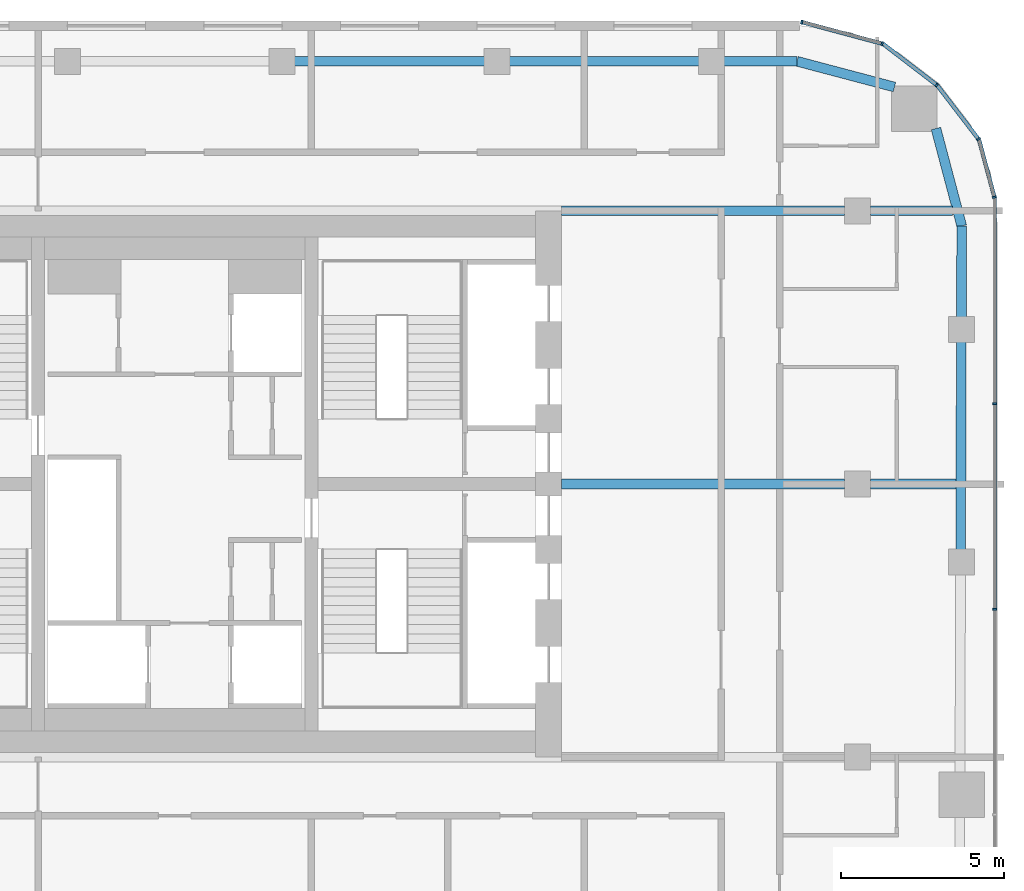
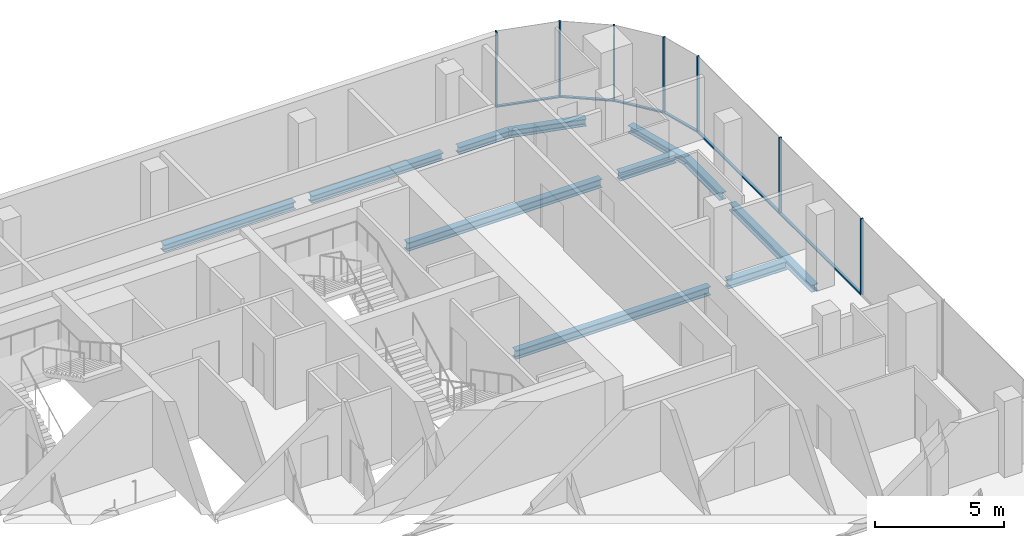
# One storey, part 11 of 22: 13 members, 11 beams, 5 elements without a shape of their own.
"""IFC4 building model written with IfcOpenShell, lengths in metres."""

import ifcopenshell
import ifcopenshell.guid

model = None  # the IFC model being written
_history = None  # IfcOwnerHistory: only IFC2X3 demands one
_inside = {}  # id of a spatial element -> (the spatial element, [elements in it])
_under = {}  # id of a project, library or spatial element -> (it, [spatial elements below it])
_declared = {}  # id of a project -> (the project, [libraries it declares])
_typed = {}  # id of a type object -> (the type object, [elements of that type])
_made_of = {}  # id of a material, layer set ... -> (it, [elements and type objects made of it])


def new_model(schema):
    """Start an empty IFC model of exactly this schema.

    Asked for "IFC4X3", IfcOpenShell would pick the latest addendum, in which some entities
    have other attributes; the version numbers below select the first issue.
    IFC2X3 requires an IfcOwnerHistory on every rooted entity: one is made here for all.
    """
    global model, _history
    if schema == "IFC4X3":
        model = ifcopenshell.file(schema_version=(4, 3, 0, 0))
    else:
        model = ifcopenshell.file(schema=schema)
    _inside.clear()
    _under.clear()
    _declared.clear()
    _typed.clear()
    _made_of.clear()
    _history = None
    if model.schema == "IFC2X3":
        org = make("IfcOrganization", Name="unknown")
        user = make(
            "IfcPersonAndOrganization",
            ThePerson=make("IfcPerson", FamilyName="unknown"),
            TheOrganization=org,
        )
        app = make(
            "IfcApplication",
            ApplicationDeveloper=org,
            Version="unknown",
            ApplicationFullName="unknown",
            ApplicationIdentifier="unknown",
        )
        _history = make(
            "IfcOwnerHistory",
            OwningUser=user,
            OwningApplication=app,
            ChangeAction="ADDED",
            CreationDate=0,
        )
    return model


def make(cls, **values):
    """One entity of the class cls with the attributes given. An attribute that is None is left unset."""
    return model.create_entity(
        cls, **{name: value for name, value in values.items() if value is not None}
    )


def rooted(cls, **values):
    """An entity with a GlobalId (a new one), such as an element, a storey or a relation."""
    return make(cls, GlobalId=ifcopenshell.guid.new(), OwnerHistory=_history, **values)


def si_unit(unit_type, name, prefix=None):
    """IfcSIUnit, for example si_unit("LENGTHUNIT", "METRE", prefix="MILLI")."""
    return make("IfcSIUnit", UnitType=unit_type, Prefix=prefix, Name=name)


def assignment(units):
    """IfcUnitAssignment: the units of a project."""
    return None if units is None else make("IfcUnitAssignment", Units=units)


def point(xyz):
    """IfcCartesianPoint."""
    return None if xyz is None else make("IfcCartesianPoint", Coordinates=xyz)


def direction(xyz):
    """IfcDirection."""
    return None if xyz is None else make("IfcDirection", DirectionRatios=xyz)


def frame(location, z_axis=None, x_axis=None):
    """IfcAxis2Placement3D, a coordinate frame: its origin and axes. An axis left out is left unset."""
    return make(
        "IfcAxis2Placement3D",
        Location=point(location),
        Axis=direction(z_axis),
        RefDirection=direction(x_axis),
    )


def frame_2d(location, x_axis=None):
    """IfcAxis2Placement2D, a coordinate frame in the plane: its origin and x axis."""
    return make(
        "IfcAxis2Placement2D", Location=point(location), RefDirection=direction(x_axis)
    )


def origin():
    """The frame at (0, 0, 0) with its axes left unset."""
    return frame((0.0, 0.0, 0.0))


def origin_2d():
    """The frame at (0, 0) in the plane with its x axis left unset."""
    return frame_2d((0.0, 0.0))


def place(relative_to, where):
    """IfcLocalPlacement: puts the frame where relative to a parent placement (None: the world)."""
    return make(
        "IfcLocalPlacement", PlacementRelTo=relative_to, RelativePlacement=where
    )


def context(
    kind, dimensions, precision=None, world=None, true_north=None, identifier=None
):
    """IfcGeometricRepresentationContext, for example the 3D "Model" context."""
    return make(
        "IfcGeometricRepresentationContext",
        ContextIdentifier=identifier,
        ContextType=kind,
        CoordinateSpaceDimension=dimensions,
        Precision=precision,
        WorldCoordinateSystem=world,
        TrueNorth=true_north,
    )


def subcontext(parent, identifier, kind, view, scale=None):
    """IfcGeometricRepresentationSubContext, for example "Body" below "Model"."""
    return make(
        "IfcGeometricRepresentationSubContext",
        ContextIdentifier=identifier,
        ContextType=kind,
        ParentContext=parent,
        TargetScale=scale,
        TargetView=view,
    )


def project(units=None, contexts=None):
    """IfcProject with its units and contexts."""
    return rooted(
        "IfcProject",
        Name="project",
        RepresentationContexts=contexts,
        UnitsInContext=assignment(units),
    )


def spatial(cls, under=None, at=None, **own):
    """A site, building, storey or space (cls), placed at a placement, below another one or the project."""
    s = rooted(cls, ObjectPlacement=at, **own)
    if under is not None:
        _under.setdefault(under.id(), (under, []))[1].append(s)
    return s


def profile(cls, at=None, kind="AREA", **sizes):
    """A parametric profile (cls). Its sizes go by their IFC names, for example OverallWidth=200.0."""
    return make(cls, ProfileType=kind, Position=at, **sizes)


def rectangle(**sizes):
    """IfcRectangleProfileDef."""
    return profile("IfcRectangleProfileDef", **sizes)


def i_section(**sizes):
    """IfcIShapeProfileDef."""
    return profile("IfcIShapeProfileDef", **sizes)


def extrude(swept, where, along, depth):
    """IfcExtrudedAreaSolid: the profile swept, set in the frame where, extruded along a direction by depth."""
    return make(
        "IfcExtrudedAreaSolid",
        SweptArea=swept,
        Position=where,
        ExtrudedDirection=direction(along),
        Depth=depth,
    )


def shape(context_of_items, identifier, shape_type, items):
    """IfcShapeRepresentation: the items that make up one representation, for example the "Body"."""
    return make(
        "IfcShapeRepresentation",
        ContextOfItems=context_of_items,
        RepresentationIdentifier=identifier,
        RepresentationType=shape_type,
        Items=items,
    )


def material(Name=None, Category=None):
    """IfcMaterial."""
    return make("IfcMaterial", Name=Name, Category=Category)


def layer(
    of_material, thickness, ventilated=None, Name=None, Category=None, Priority=None
):
    """IfcMaterialLayer: one layer of a wall or slab, of a material (None: an air gap)."""
    return make(
        "IfcMaterialLayer",
        Material=of_material,
        LayerThickness=thickness,
        IsVentilated=ventilated,
        Name=Name,
        Category=Category,
        Priority=Priority,
    )


def layer_set(layers, Name=None):
    """IfcMaterialLayerSet."""
    return make("IfcMaterialLayerSet", MaterialLayers=layers, LayerSetName=Name)


def material_profile(
    of_material, cross_section, Name=None, Category=None, Priority=None
):
    """IfcMaterialProfile: a cross section and its material."""
    return make(
        "IfcMaterialProfile",
        Name=Name,
        Material=of_material,
        Profile=cross_section,
        Priority=Priority,
        Category=Category,
    )


def profile_set(profiles, Name=None, composite=None):
    """IfcMaterialProfileSet."""
    return make(
        "IfcMaterialProfileSet",
        Name=Name,
        MaterialProfiles=profiles,
        CompositeProfile=composite,
    )


def made_of(thing, what):
    """Note that an element or type object is made of a material, layer set ...; save() writes the relation."""
    if what is not None:
        _made_of.setdefault(what.id(), (what, []))[1].append(thing)
    return thing


def type_object(cls, material=None, **own):
    """A type object (cls), such as IfcWallType, which elements share."""
    return made_of(rooted(cls, **own), material)


def element(
    cls,
    number,
    at=None,
    inside=None,
    cuts=None,
    type_object=None,
    material=None,
    context=None,
    identifier="Body",
    shape_type=None,
    held_by="IfcProductDefinitionShape",
    body=None,
    shapes=None,
    **own,
):
    """One element of the class cls, such as IfcWall. Its Tag is "e" and its number.

    at: its placement. inside: the storey or other place that contains it. cuts: it is an
    opening in that element (IfcRelVoidsElement). A single representation is given by context,
    identifier, shape_type and body (its items); several are given by shapes. held_by: the class
    of the entity that holds the representations. save() writes the other relations.
    """
    e = rooted(cls, Tag="e%d" % number, ObjectPlacement=at, **own)
    if body is not None:
        shapes = [shape(context, identifier, shape_type, body)]
    if shapes is not None:
        e.Representation = make(held_by, Representations=shapes)
    if inside is not None:
        _inside.setdefault(inside.id(), (inside, []))[1].append(e)
    if cuts is not None:
        rooted(
            "IfcRelVoidsElement", RelatingBuildingElement=cuts, RelatedOpeningElement=e
        )
    if type_object is not None:
        _typed.setdefault(type_object.id(), (type_object, []))[1].append(e)
    return made_of(e, material)


def aggregate(whole, parts):
    """IfcRelAggregates: a whole, such as a stair, and the parts it consists of."""
    return rooted("IfcRelAggregates", RelatingObject=whole, RelatedObjects=parts)


def save(model, path):
    """Write the relations noted so far, then the file.

    IfcRelAggregates (storeys below a building ...), IfcRelContainedInSpatialStructure (elements
    in a storey), IfcRelDefinesByType, IfcRelAssociatesMaterial and IfcRelDeclares: one each for
    every whole, place, type object, material and project.
    """
    for whole, parts in _under.values():
        aggregate(whole, parts)
    for where, things in _inside.values():
        rooted(
            "IfcRelContainedInSpatialStructure",
            RelatedElements=things,
            RelatingStructure=where,
        )
    for kind, things in _typed.values():
        rooted("IfcRelDefinesByType", RelatedObjects=things, RelatingType=kind)
    for what, things in _made_of.values():
        rooted("IfcRelAssociatesMaterial", RelatedObjects=things, RelatingMaterial=what)
    for by, libraries in _declared.values():
        rooted("IfcRelDeclares", RelatingContext=by, RelatedDefinitions=libraries)
    model.write(path)


model = new_model("IFC4")

# Units and contexts
model_context = context("Model", 3, precision=1e-05, world=origin(), true_north=direction((0.0, 1.0)))
body_context = subcontext(model_context, "Body", "Model", "MODEL_VIEW")
ifc_project = project(units=[si_unit("LENGTHUNIT", "METRE"), si_unit("AREAUNIT", "SQUARE_METRE"), si_unit("VOLUMEUNIT", "CUBIC_METRE"), si_unit("PLANEANGLEUNIT", "RADIAN"), si_unit("MASSUNIT", "GRAM", prefix="KILO")], contexts=[model_context])

# Site, building, storey
site_placement = place(None, origin())
site = spatial("IfcSite", under=ifc_project, at=site_placement, CompositionType="ELEMENT")
building_placement = place(site_placement, origin())
building = spatial("IfcBuilding", under=site, at=building_placement, Name="Marenta Gate Hotel Tower", CompositionType="ELEMENT")
storey_placement = place(building_placement, frame((0.0, 0.0, 223.699951171875)))
storey = spatial("IfcBuildingStorey", under=building, at=storey_placement, Name="L52", CompositionType="ELEMENT", Elevation=223.699951171875)

# Beams
ifc_material_1 = material(Name="Steel S355", Category="steel")
ifc_material_profile_1 = material_profile(ifc_material_1, i_section(OverallWidth=0.300048828125, OverallDepth=0.340087890625, WebThickness=0.011962890625, FlangeThickness=0.021484375, FilletRadius=0.027099609375, at=origin_2d()), Name="HEB 340")
ifc_profile_set_1 = profile_set([ifc_material_profile_1], Name="Steel S355")
beam_type_1 = type_object("IfcBeamType", Name="Edge beam HEB 340", PredefinedType="SPANDREL", material=ifc_profile_set_1)
for number, where, z_axis, x_axis, name in (
    (1, (3.661376953125, 21.39990234375, -0.429931640625), (1.0, 0.0, 0.0), (0.0, 1.0, 0.0), "L52-EB-17"),
    (2, (10.26416015625, 21.39990234375, -0.429931640625), (1.0, 0.0, 0.0), (0.0, 1.0, 0.0), "L52-EB-18"),
):
    element("IfcBeam", number, at=place(storey_placement, frame(where, z_axis=z_axis, x_axis=x_axis)), inside=storey, type_object=beam_type_1, Name=name, PredefinedType="SPANDREL", context=body_context, shape_type="SweptSolid", body=[
        extrude(i_section(OverallWidth=0.300048828125, OverallDepth=0.340087890625, WebThickness=0.011962890625, FlangeThickness=0.021484375, FilletRadius=0.027099609375, at=origin_2d()), origin(), (0.0, 0.0, 1.0), 5.8828125),
    ])
beam_1_placement = place(storey_placement, frame((16.866943359375, 21.39990234375, -0.429931640625), z_axis=(1.0, 0.0, 0.0), x_axis=(0.0, 1.0, 0.0)))
element("IfcBeam", 3, at=beam_1_placement, inside=storey, type_object=beam_type_1, Name="L52-EB-19", PredefinedType="SPANDREL", context=body_context, shape_type="SweptSolid", body=[
    extrude(i_section(OverallWidth=0.300048828125, OverallDepth=0.340087890625, WebThickness=0.011962890625, FlangeThickness=0.021484375, FilletRadius=0.027099609375, at=origin_2d()), origin(), (0.0, 0.0, 1.0), 2.267578125),
])
beam_2_placement = place(storey_placement, frame((19.134521484375, 21.39990234375, -0.429931640625), z_axis=(0.9667647815, -0.25566747398, 0.0), x_axis=(0.25566747398, 0.9667647815, 0.0)))
element("IfcBeam", 4, at=beam_2_placement, inside=storey, type_object=beam_type_1, Name="L52-EB-20", PredefinedType="SPANDREL", context=body_context, shape_type="SweptSolid", body=[
    extrude(i_section(OverallWidth=0.300048828125, OverallDepth=0.340087890625, WebThickness=0.011962890625, FlangeThickness=0.021484375, FilletRadius=0.027099609375, at=origin_2d()), origin(), (0.0, 0.0, 1.0), 3.1005859375),
])
beam_3_placement = place(storey_placement, frame((23.4072265625, 19.332275390625, -0.429931640625), z_axis=(0.255648013319, -0.966769927794, 0.0), x_axis=(0.966769927794, 0.255648013319, 0.0)))
element("IfcBeam", 5, at=beam_3_placement, inside=storey, type_object=beam_type_1, Name="L52-EB-21", PredefinedType="SPANDREL", context=body_context, shape_type="SweptSolid", body=[
    extrude(i_section(OverallWidth=0.300048828125, OverallDepth=0.340087890625, WebThickness=0.011962890625, FlangeThickness=0.021484375, FilletRadius=0.027099609375, at=origin_2d()), origin(), (0.0, 0.0, 1.0), 3.100830078125),
])
beam_4_placement = place(storey_placement, frame((24.199951171875, 16.33447265625, -0.429931640625), z_axis=(-0.003292020626, -0.999994581285, 0.0), x_axis=(0.999994581285, -0.003292020626, 0.0)))
element("IfcBeam", 6, at=beam_4_placement, inside=storey, type_object=beam_type_1, Name="L52-EB-22", PredefinedType="SPANDREL", context=body_context, shape_type="SweptSolid", body=[
    extrude(i_section(OverallWidth=0.300048828125, OverallDepth=0.340087890625, WebThickness=0.011962890625, FlangeThickness=0.021484375, FilletRadius=0.027099609375, at=origin_2d()), origin(), (0.0, 0.0, 1.0), 2.818115234375),
])
beam_5_placement = place(storey_placement, frame((24.188232421875, 12.79638671875, -0.429931640625), z_axis=(-0.00333963982, -0.999994423387, 0.0), x_axis=(0.999994423387, -0.00333963982, 0.0)))
element("IfcBeam", 7, at=beam_5_placement, inside=storey, type_object=beam_type_1, Name="L52-EB-23", PredefinedType="SPANDREL", context=body_context, shape_type="SweptSolid", body=[
    extrude(i_section(OverallWidth=0.300048828125, OverallDepth=0.340087890625, WebThickness=0.011962890625, FlangeThickness=0.021484375, FilletRadius=0.027099609375, at=origin_2d()), origin(), (0.0, 0.0, 1.0), 6.43310546875),
])
ifc_material_2 = material(Name="Steel S355", Category="steel")
ifc_material_profile_2 = material_profile(ifc_material_2, i_section(OverallWidth=0.300048828125, OverallDepth=0.39990234375, WebThickness=0.013427734375, FlangeThickness=0.02392578125, FilletRadius=0.027099609375, at=origin_2d()), Name="HEB 400")
ifc_profile_set_2 = profile_set([ifc_material_profile_2], Name="Steel S355")
beam_type_2 = type_object("IfcBeamType", Name="Girder HEB 400", PredefinedType="BEAM", material=ifc_profile_set_2)
beam_6_placement = place(storey_placement, frame((11.89990234375, 8.39990234375, -0.4599609375), z_axis=(1.0, 0.0, 0.0), x_axis=(0.0, 1.0, 0.0)))
element("IfcBeam", 8, at=beam_6_placement, inside=storey, type_object=beam_type_2, Name="L52-GD-27", PredefinedType="BEAM", context=body_context, shape_type="SweptSolid", body=[
    extrude(i_section(OverallWidth=0.300048828125, OverallDepth=0.39990234375, WebThickness=0.013427734375, FlangeThickness=0.02392578125, FilletRadius=0.027099609375, at=origin_2d()), origin(), (0.0, 0.0, 1.0), 8.7001953125),
])
beam_7_placement = place(storey_placement, frame((21.39990234375, 8.39990234375, -0.4599609375), z_axis=(1.0, 0.0, 0.0), x_axis=(0.0, 1.0, 0.0)))
element("IfcBeam", 9, at=beam_7_placement, inside=storey, type_object=beam_type_2, Name="L52-GD-28", PredefinedType="BEAM", context=body_context, shape_type="SweptSolid", body=[
    extrude(i_section(OverallWidth=0.300048828125, OverallDepth=0.39990234375, WebThickness=0.013427734375, FlangeThickness=0.02392578125, FilletRadius=0.027099609375, at=origin_2d()), origin(), (0.0, 0.0, 1.0), 2.623779296875),
])
beam_8_placement = place(storey_placement, frame((11.89990234375, 16.800048828125, -0.4599609375), z_axis=(1.0, 0.0, 0.0), x_axis=(0.0, 1.0, 0.0)))
element("IfcBeam", 10, at=beam_8_placement, inside=storey, type_object=beam_type_2, Name="L52-GD-32", PredefinedType="BEAM", context=body_context, shape_type="SweptSolid", body=[
    extrude(i_section(OverallWidth=0.300048828125, OverallDepth=0.39990234375, WebThickness=0.013427734375, FlangeThickness=0.02392578125, FilletRadius=0.027099609375, at=origin_2d()), origin(), (0.0, 0.0, 1.0), 8.7001953125),
])
beam_9_placement = place(storey_placement, frame((21.39990234375, 16.800048828125, -0.4599609375), z_axis=(1.0, 0.0, 0.0), x_axis=(0.0, 1.0, 0.0)))
element("IfcBeam", 11, at=beam_9_placement, inside=storey, type_object=beam_type_2, Name="L52-GD-33", PredefinedType="BEAM", context=body_context, shape_type="SweptSolid", body=[
    extrude(i_section(OverallWidth=0.300048828125, OverallDepth=0.39990234375, WebThickness=0.013427734375, FlangeThickness=0.02392578125, FilletRadius=0.027099609375, at=origin_2d()), origin(), (0.0, 0.0, 1.0), 2.521728515625),
])

# Curtain wall, members
ifc_material_3 = material(Name="Tinted insulated glass in bronze anodised frame", Category="glass")
ifc_layer = layer(ifc_material_3, 0.1201171875)
ifc_layer_set = layer_set([ifc_layer], Name="Tinted insulated glass in bronze anodised frame")
curtain_wall_type = type_object("IfcCurtainWallType", Name="Tower unitised curtain wall CW1", PredefinedType="NOTDEFINED", material=ifc_layer_set)
curtain_wall_1_placement = place(storey_placement, origin())
curtain_wall_1 = element("IfcCurtainWall", 12, at=curtain_wall_1_placement, inside=storey, type_object=curtain_wall_type, Name="CW1 run G11", PredefinedType="NOTDEFINED")
ifc_material_4 = material(Name="Bronze anodised aluminium", Category="aluminium")
ifc_material_profile_3 = material_profile(ifc_material_4, rectangle(XDim=0.1201171875, YDim=0.06005859375, at=origin_2d()), Name="Mullion CW1 60x120 bronze anodised aluminium")
ifc_profile_set_3 = profile_set([ifc_material_profile_3], Name="Bronze anodised aluminium")
member_type_1 = type_object("IfcMemberType", Name="Mullion CW1 60x120 bronze anodised aluminium", PredefinedType="MULLION", material=ifc_profile_set_3)
member_1_placement = place(storey_placement, frame((25.214111328125, 4.546630859375, 0.0), z_axis=(0.0, 0.0, 1.0), x_axis=(-1.0, 0.0, 0.0)))
member_1 = element("IfcMember", 13, at=member_1_placement, type_object=member_type_1, Name="CW1 mullion 5", PredefinedType="MULLION", context=body_context, shape_type="SweptSolid", body=[
    extrude(rectangle(XDim=0.1201171875, YDim=0.06005859375, at=origin_2d()), origin(), (0.0, 0.0, 1.0), 3.60009765625),
])
member_2_placement = place(storey_placement, frame((25.214111328125, 10.869384765625, 0.0), z_axis=(0.0, 0.0, 1.0), x_axis=(-1.0, 0.0, 0.0)))
member_2 = element("IfcMember", 14, at=member_2_placement, type_object=member_type_1, Name="CW1 mullion 6", PredefinedType="MULLION", context=body_context, shape_type="SweptSolid", body=[
    extrude(rectangle(XDim=0.1201171875, YDim=0.06005859375, at=origin_2d()), origin(), (0.0, 0.0, 1.0), 3.60009765625),
])

# Curtain wall, member
curtain_wall_2_placement = place(storey_placement, origin())
curtain_wall_2 = element("IfcCurtainWall", 15, at=curtain_wall_2_placement, inside=storey, type_object=curtain_wall_type, Name="CW1 run G12", PredefinedType="NOTDEFINED")
member_3_placement = place(storey_placement, frame((25.206298828125, 17.220947265625, 0.0), z_axis=(0.0, 0.0, 1.0), x_axis=(-0.965924453932, -0.258824166754, 0.0)))
member_3 = element("IfcMember", 16, at=member_3_placement, type_object=member_type_1, Name="CW1 mullion 1", PredefinedType="MULLION", context=body_context, shape_type="SweptSolid", body=[
    extrude(rectangle(XDim=0.1201171875, YDim=0.06005859375, at=origin_2d()), origin(), (0.0, 0.0, 1.0), 3.60009765625),
])

curtain_wall_3_placement = place(storey_placement, origin())
curtain_wall_3 = element("IfcCurtainWall", 17, at=curtain_wall_3_placement, inside=storey, type_object=curtain_wall_type, Name="CW1 run G13", PredefinedType="NOTDEFINED")
member_4_placement = place(storey_placement, frame((24.7158203125, 19.00634765625, 0.0), z_axis=(0.0, 0.0, 1.0), x_axis=(-0.793333335233, -0.608787499222, 0.0)))
member_4 = element("IfcMember", 18, at=member_4_placement, type_object=member_type_1, Name="CW1 mullion 1", PredefinedType="MULLION", context=body_context, shape_type="SweptSolid", body=[
    extrude(rectangle(XDim=0.1201171875, YDim=0.06005859375, at=origin_2d()), origin(), (0.0, 0.0, 1.0), 3.60009765625),
])

curtain_wall_4_placement = place(storey_placement, origin())
curtain_wall_4 = element("IfcCurtainWall", 19, at=curtain_wall_4_placement, inside=storey, type_object=curtain_wall_type, Name="CW1 run G14", PredefinedType="NOTDEFINED")
member_5_placement = place(storey_placement, frame((23.4287109375, 20.6708984375, 0.0), z_axis=(0.0, 0.0, 1.0), x_axis=(-0.608787499222, -0.793333335233, 0.0)))
member_5 = element("IfcMember", 20, at=member_5_placement, type_object=member_type_1, Name="CW1 mullion 1", PredefinedType="MULLION", context=body_context, shape_type="SweptSolid", body=[
    extrude(rectangle(XDim=0.1201171875, YDim=0.06005859375, at=origin_2d()), origin(), (0.0, 0.0, 1.0), 3.60009765625),
])

# Curtain wall, members
curtain_wall_5_placement = place(storey_placement, origin())
curtain_wall_5 = element("IfcCurtainWall", 21, at=curtain_wall_5_placement, inside=storey, type_object=curtain_wall_type, Name="CW1 run G15", PredefinedType="NOTDEFINED")
member_6_placement = place(storey_placement, frame((21.75341796875, 21.94189453125, 0.0), z_axis=(0.0, 0.0, 1.0), x_axis=(-0.258804895175, -0.96592961764, 0.0)))
member_6 = element("IfcMember", 22, at=member_6_placement, type_object=member_type_1, Name="CW1 mullion 1", PredefinedType="MULLION", context=body_context, shape_type="SweptSolid", body=[
    extrude(rectangle(XDim=0.1201171875, YDim=0.06005859375, at=origin_2d()), origin(), (0.0, 0.0, 1.0), 3.60009765625),
])
member_7_placement = place(storey_placement, frame((19.285400390625, 22.603271484375, 0.0), z_axis=(0.0, 0.0, 1.0), x_axis=(-0.258804895175, -0.96592961764, 0.0)))
member_7 = element("IfcMember", 23, at=member_7_placement, type_object=member_type_1, Name="CW1 mullion 2", PredefinedType="MULLION", context=body_context, shape_type="SweptSolid", body=[
    extrude(rectangle(XDim=0.1201171875, YDim=0.06005859375, at=origin_2d()), origin(), (0.0, 0.0, 1.0), 3.60009765625),
])

# Member
ifc_material_5 = material(Name="Bronze anodised aluminium", Category="aluminium")
ifc_material_profile_4 = material_profile(ifc_material_5, rectangle(XDim=0.1201171875, YDim=0.06005859375, at=origin_2d()), Name="Transom CW1 60x120 bronze anodised aluminium")
ifc_profile_set_4 = profile_set([ifc_material_profile_4], Name="Bronze anodised aluminium")
member_type_2 = type_object("IfcMemberType", Name="Transom CW1 60x120 bronze anodised aluminium", PredefinedType="USERDEFINED", material=ifc_profile_set_4)
member_8_placement = place(storey_placement, frame((25.214111328125, 4.57666015625, 0.030029296875), z_axis=(0.0, 1.0, 0.0), x_axis=(-1.0, 0.0, 0.0)))
member_8 = element("IfcMember", 24, at=member_8_placement, type_object=member_type_2, Name="CW1 transom 5.1", ObjectType="TRANSOM", PredefinedType="USERDEFINED", context=body_context, shape_type="SweptSolid", body=[
    extrude(rectangle(XDim=0.1201171875, YDim=0.06005859375, at=origin_2d()), origin(), (0.0, 0.0, 1.0), 6.2626953125),
])

member_9_placement = place(storey_placement, frame((25.214111328125, 10.899169921875, 0.030029296875), z_axis=(0.0, 1.0, 0.0), x_axis=(-1.0, 0.0, 0.0)))
member_9 = element("IfcMember", 25, at=member_9_placement, type_object=member_type_2, Name="CW1 transom 6.1", ObjectType="TRANSOM", PredefinedType="USERDEFINED", context=body_context, shape_type="SweptSolid", body=[
    extrude(rectangle(XDim=0.1201171875, YDim=0.06005859375, at=origin_2d()), origin(), (0.0, 0.0, 1.0), 6.292724609375),
])

aggregate(curtain_wall_1, [member_1, member_2, member_8, member_9])

member_10_placement = place(storey_placement, frame((25.198486328125, 17.249755859375, 0.030029296875), z_axis=(-0.258865341007, 0.96591342015, 0.0), x_axis=(-0.96591342015, -0.258865341007, 0.0)))
member_10 = element("IfcMember", 26, at=member_10_placement, type_object=member_type_2, Name="CW1 transom 1.1", ObjectType="TRANSOM", PredefinedType="USERDEFINED", context=body_context, shape_type="SweptSolid", body=[
    extrude(rectangle(XDim=0.1201171875, YDim=0.06005859375, at=origin_2d()), origin(), (0.0, 0.0, 1.0), 1.793701171875),
])

aggregate(curtain_wall_2, [member_3, member_10])

member_11_placement = place(storey_placement, frame((24.69775390625, 19.030029296875, 0.030029296875), z_axis=(-0.608787337271, 0.79333345951, 0.0), x_axis=(-0.79333345951, -0.608787337271, 0.0)))
member_11 = element("IfcMember", 27, at=member_11_placement, type_object=member_type_2, Name="CW1 transom 1.1", ObjectType="TRANSOM", PredefinedType="USERDEFINED", context=body_context, shape_type="SweptSolid", body=[
    extrude(rectangle(XDim=0.1201171875, YDim=0.06005859375, at=origin_2d()), origin(), (0.0, 0.0, 1.0), 2.045166015625),
])

aggregate(curtain_wall_3, [member_4, member_11])

member_12_placement = place(storey_placement, frame((23.405029296875, 20.689208984375, 0.030029296875), z_axis=(-0.793391112466, 0.60871220019, 0.0), x_axis=(-0.60871220019, -0.793391112466, 0.0)))
member_12 = element("IfcMember", 28, at=member_12_placement, type_object=member_type_2, Name="CW1 transom 1.1", ObjectType="TRANSOM", PredefinedType="USERDEFINED", context=body_context, shape_type="SweptSolid", body=[
    extrude(rectangle(XDim=0.1201171875, YDim=0.06005859375, at=origin_2d()), origin(), (0.0, 0.0, 1.0), 2.045166015625),
])

aggregate(curtain_wall_4, [member_5, member_12])

member_13_placement = place(storey_placement, frame((21.724609375, 21.94970703125, 0.030029296875), z_axis=(-0.965930582093, 0.258801295547, 0.0), x_axis=(-0.258801295547, -0.965930582093, 0.0)))
member_13 = element("IfcMember", 29, at=member_13_placement, type_object=member_type_2, Name="CW1 transom 1.1", ObjectType="TRANSOM", PredefinedType="USERDEFINED", context=body_context, shape_type="SweptSolid", body=[
    extrude(rectangle(XDim=0.1201171875, YDim=0.06005859375, at=origin_2d()), origin(), (0.0, 0.0, 1.0), 2.4951171875),
])

aggregate(curtain_wall_5, [member_6, member_7, member_13])

save(model, "model.ifc")
